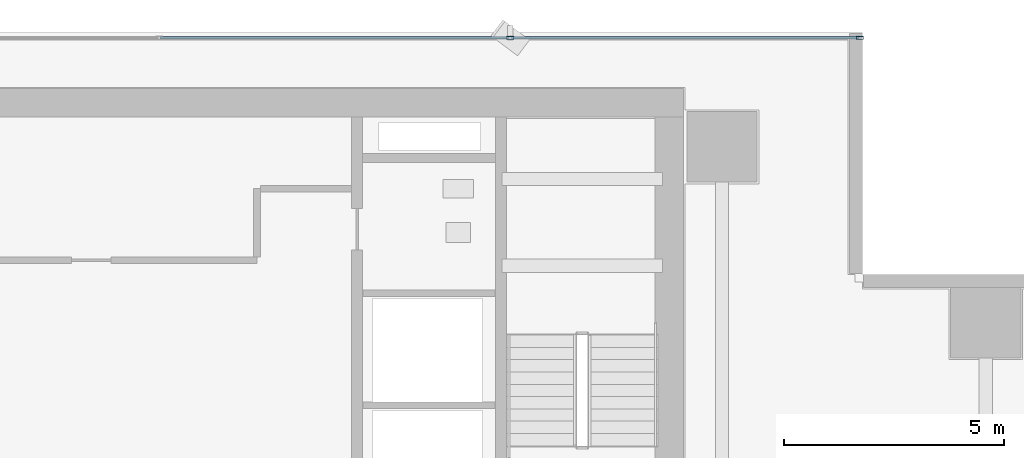
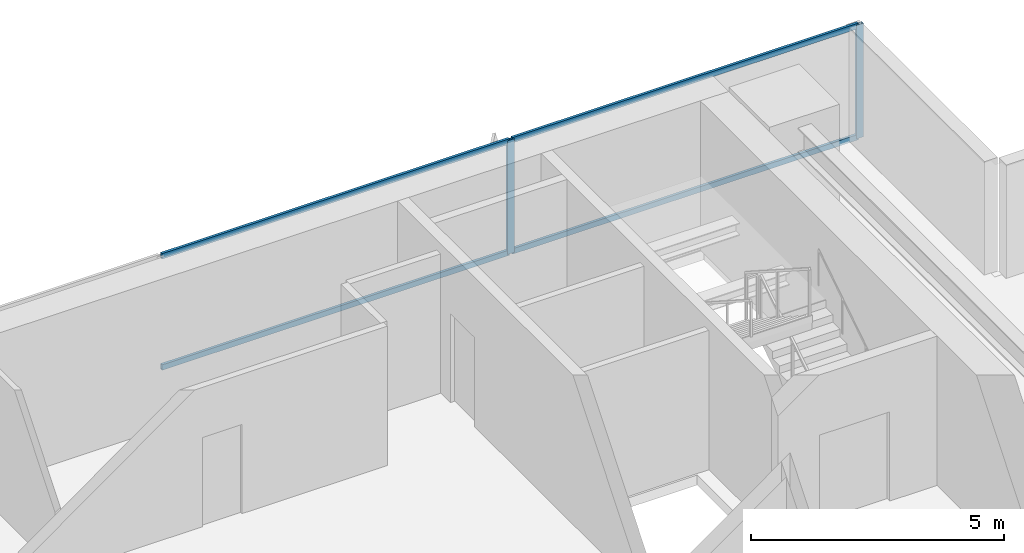
# One storey, part 24 of 34: 6 members, 1 element without a shape of its own.
"""IFC4 building model written with IfcOpenShell, lengths in metres."""

import ifcopenshell
import ifcopenshell.guid

model = None  # the IFC model being written
_history = None  # IfcOwnerHistory: only IFC2X3 demands one
_inside = {}  # id of a spatial element -> (the spatial element, [elements in it])
_under = {}  # id of a project, library or spatial element -> (it, [spatial elements below it])
_declared = {}  # id of a project -> (the project, [libraries it declares])
_typed = {}  # id of a type object -> (the type object, [elements of that type])
_made_of = {}  # id of a material, layer set ... -> (it, [elements and type objects made of it])


def new_model(schema):
    """Start an empty IFC model of exactly this schema.

    Asked for "IFC4X3", IfcOpenShell would pick the latest addendum, in which some entities
    have other attributes; the version numbers below select the first issue.
    IFC2X3 requires an IfcOwnerHistory on every rooted entity: one is made here for all.
    """
    global model, _history
    if schema == "IFC4X3":
        model = ifcopenshell.file(schema_version=(4, 3, 0, 0))
    else:
        model = ifcopenshell.file(schema=schema)
    _inside.clear()
    _under.clear()
    _declared.clear()
    _typed.clear()
    _made_of.clear()
    _history = None
    if model.schema == "IFC2X3":
        org = make("IfcOrganization", Name="unknown")
        user = make(
            "IfcPersonAndOrganization",
            ThePerson=make("IfcPerson", FamilyName="unknown"),
            TheOrganization=org,
        )
        app = make(
            "IfcApplication",
            ApplicationDeveloper=org,
            Version="unknown",
            ApplicationFullName="unknown",
            ApplicationIdentifier="unknown",
        )
        _history = make(
            "IfcOwnerHistory",
            OwningUser=user,
            OwningApplication=app,
            ChangeAction="ADDED",
            CreationDate=0,
        )
    return model


def make(cls, **values):
    """One entity of the class cls with the attributes given. An attribute that is None is left unset."""
    return model.create_entity(
        cls, **{name: value for name, value in values.items() if value is not None}
    )


def rooted(cls, **values):
    """An entity with a GlobalId (a new one), such as an element, a storey or a relation."""
    return make(cls, GlobalId=ifcopenshell.guid.new(), OwnerHistory=_history, **values)


def si_unit(unit_type, name, prefix=None):
    """IfcSIUnit, for example si_unit("LENGTHUNIT", "METRE", prefix="MILLI")."""
    return make("IfcSIUnit", UnitType=unit_type, Prefix=prefix, Name=name)


def assignment(units):
    """IfcUnitAssignment: the units of a project."""
    return None if units is None else make("IfcUnitAssignment", Units=units)


def point(xyz):
    """IfcCartesianPoint."""
    return None if xyz is None else make("IfcCartesianPoint", Coordinates=xyz)


def direction(xyz):
    """IfcDirection."""
    return None if xyz is None else make("IfcDirection", DirectionRatios=xyz)


def frame(location, z_axis=None, x_axis=None):
    """IfcAxis2Placement3D, a coordinate frame: its origin and axes. An axis left out is left unset."""
    return make(
        "IfcAxis2Placement3D",
        Location=point(location),
        Axis=direction(z_axis),
        RefDirection=direction(x_axis),
    )


def frame_2d(location, x_axis=None):
    """IfcAxis2Placement2D, a coordinate frame in the plane: its origin and x axis."""
    return make(
        "IfcAxis2Placement2D", Location=point(location), RefDirection=direction(x_axis)
    )


def origin():
    """The frame at (0, 0, 0) with its axes left unset."""
    return frame((0.0, 0.0, 0.0))


def origin_2d():
    """The frame at (0, 0) in the plane with its x axis left unset."""
    return frame_2d((0.0, 0.0))


def place(relative_to, where):
    """IfcLocalPlacement: puts the frame where relative to a parent placement (None: the world)."""
    return make(
        "IfcLocalPlacement", PlacementRelTo=relative_to, RelativePlacement=where
    )


def context(
    kind, dimensions, precision=None, world=None, true_north=None, identifier=None
):
    """IfcGeometricRepresentationContext, for example the 3D "Model" context."""
    return make(
        "IfcGeometricRepresentationContext",
        ContextIdentifier=identifier,
        ContextType=kind,
        CoordinateSpaceDimension=dimensions,
        Precision=precision,
        WorldCoordinateSystem=world,
        TrueNorth=true_north,
    )


def subcontext(parent, identifier, kind, view, scale=None):
    """IfcGeometricRepresentationSubContext, for example "Body" below "Model"."""
    return make(
        "IfcGeometricRepresentationSubContext",
        ContextIdentifier=identifier,
        ContextType=kind,
        ParentContext=parent,
        TargetScale=scale,
        TargetView=view,
    )


def project(units=None, contexts=None):
    """IfcProject with its units and contexts."""
    return rooted(
        "IfcProject",
        Name="project",
        RepresentationContexts=contexts,
        UnitsInContext=assignment(units),
    )


def spatial(cls, under=None, at=None, **own):
    """A site, building, storey or space (cls), placed at a placement, below another one or the project."""
    s = rooted(cls, ObjectPlacement=at, **own)
    if under is not None:
        _under.setdefault(under.id(), (under, []))[1].append(s)
    return s


def profile(cls, at=None, kind="AREA", **sizes):
    """A parametric profile (cls). Its sizes go by their IFC names, for example OverallWidth=200.0."""
    return make(cls, ProfileType=kind, Position=at, **sizes)


def hollow_rectangle(**sizes):
    """IfcRectangleHollowProfileDef."""
    return profile("IfcRectangleHollowProfileDef", **sizes)


def extrude(swept, where, along, depth):
    """IfcExtrudedAreaSolid: the profile swept, set in the frame where, extruded along a direction by depth."""
    return make(
        "IfcExtrudedAreaSolid",
        SweptArea=swept,
        Position=where,
        ExtrudedDirection=direction(along),
        Depth=depth,
    )


def shape(context_of_items, identifier, shape_type, items):
    """IfcShapeRepresentation: the items that make up one representation, for example the "Body"."""
    return make(
        "IfcShapeRepresentation",
        ContextOfItems=context_of_items,
        RepresentationIdentifier=identifier,
        RepresentationType=shape_type,
        Items=items,
    )


def source(mapping_origin, context_of_items, identifier, shape_type, items):
    """IfcRepresentationMap: a shape defined once, which mapped items show again and again."""
    return make(
        "IfcRepresentationMap",
        MappingOrigin=mapping_origin,
        MappedRepresentation=shape(context_of_items, identifier, shape_type, items),
    )


def transform(
    local_origin,
    x_axis=None,
    y_axis=None,
    z_axis=None,
    scale=None,
    scale2=None,
    scale3=None,
    uniform=True,
):
    """IfcCartesianTransformationOperator3D, or its non-uniform kind. x_axis, y_axis, z_axis: its Axis1, 2, 3."""
    if uniform:
        return make(
            "IfcCartesianTransformationOperator3D",
            Axis1=direction(x_axis),
            Axis2=direction(y_axis),
            LocalOrigin=point(local_origin),
            Scale=scale,
            Axis3=direction(z_axis),
        )
    return make(
        "IfcCartesianTransformationOperator3DnonUniform",
        Axis1=direction(x_axis),
        Axis2=direction(y_axis),
        LocalOrigin=point(local_origin),
        Scale=scale,
        Axis3=direction(z_axis),
        Scale2=scale2,
        Scale3=scale3,
    )


def mapped(mapping_source, mapping_target):
    """IfcMappedItem: shows the shape of a source again, moved by a transform."""
    return make(
        "IfcMappedItem", MappingSource=mapping_source, MappingTarget=mapping_target
    )


def material(Name=None, Category=None):
    """IfcMaterial."""
    return make("IfcMaterial", Name=Name, Category=Category)


def layer(
    of_material, thickness, ventilated=None, Name=None, Category=None, Priority=None
):
    """IfcMaterialLayer: one layer of a wall or slab, of a material (None: an air gap)."""
    return make(
        "IfcMaterialLayer",
        Material=of_material,
        LayerThickness=thickness,
        IsVentilated=ventilated,
        Name=Name,
        Category=Category,
        Priority=Priority,
    )


def layer_set(layers, Name=None):
    """IfcMaterialLayerSet."""
    return make("IfcMaterialLayerSet", MaterialLayers=layers, LayerSetName=Name)


def material_profile(
    of_material, cross_section, Name=None, Category=None, Priority=None
):
    """IfcMaterialProfile: a cross section and its material."""
    return make(
        "IfcMaterialProfile",
        Name=Name,
        Material=of_material,
        Profile=cross_section,
        Priority=Priority,
        Category=Category,
    )


def profile_set(profiles, Name=None, composite=None):
    """IfcMaterialProfileSet."""
    return make(
        "IfcMaterialProfileSet",
        Name=Name,
        MaterialProfiles=profiles,
        CompositeProfile=composite,
    )


def made_of(thing, what):
    """Note that an element or type object is made of a material, layer set ...; save() writes the relation."""
    if what is not None:
        _made_of.setdefault(what.id(), (what, []))[1].append(thing)
    return thing


def type_object(cls, material=None, **own):
    """A type object (cls), such as IfcWallType, which elements share."""
    return made_of(rooted(cls, **own), material)


def element(
    cls,
    number,
    at=None,
    inside=None,
    cuts=None,
    type_object=None,
    material=None,
    context=None,
    identifier="Body",
    shape_type=None,
    held_by="IfcProductDefinitionShape",
    body=None,
    shapes=None,
    **own,
):
    """One element of the class cls, such as IfcWall. Its Tag is "e" and its number.

    at: its placement. inside: the storey or other place that contains it. cuts: it is an
    opening in that element (IfcRelVoidsElement). A single representation is given by context,
    identifier, shape_type and body (its items); several are given by shapes. held_by: the class
    of the entity that holds the representations. save() writes the other relations.
    """
    e = rooted(cls, Tag="e%d" % number, ObjectPlacement=at, **own)
    if body is not None:
        shapes = [shape(context, identifier, shape_type, body)]
    if shapes is not None:
        e.Representation = make(held_by, Representations=shapes)
    if inside is not None:
        _inside.setdefault(inside.id(), (inside, []))[1].append(e)
    if cuts is not None:
        rooted(
            "IfcRelVoidsElement", RelatingBuildingElement=cuts, RelatedOpeningElement=e
        )
    if type_object is not None:
        _typed.setdefault(type_object.id(), (type_object, []))[1].append(e)
    return made_of(e, material)


def aggregate(whole, parts):
    """IfcRelAggregates: a whole, such as a stair, and the parts it consists of."""
    return rooted("IfcRelAggregates", RelatingObject=whole, RelatedObjects=parts)


def save(model, path):
    """Write the relations noted so far, then the file.

    IfcRelAggregates (storeys below a building ...), IfcRelContainedInSpatialStructure (elements
    in a storey), IfcRelDefinesByType, IfcRelAssociatesMaterial and IfcRelDeclares: one each for
    every whole, place, type object, material and project.
    """
    for whole, parts in _under.values():
        aggregate(whole, parts)
    for where, things in _inside.values():
        rooted(
            "IfcRelContainedInSpatialStructure",
            RelatedElements=things,
            RelatingStructure=where,
        )
    for kind, things in _typed.values():
        rooted("IfcRelDefinesByType", RelatedObjects=things, RelatingType=kind)
    for what, things in _made_of.values():
        rooted("IfcRelAssociatesMaterial", RelatedObjects=things, RelatingMaterial=what)
    for by, libraries in _declared.values():
        rooted("IfcRelDeclares", RelatingContext=by, RelatedDefinitions=libraries)
    model.write(path)


model = new_model("IFC4")

# Units and contexts
model_context = context("Model", 3, precision=1e-05, world=origin(), true_north=direction((0.0, 1.0)))
body_context = subcontext(model_context, "Body", "Model", "MODEL_VIEW")
ifc_project = project(units=[si_unit("LENGTHUNIT", "METRE"), si_unit("AREAUNIT", "SQUARE_METRE"), si_unit("VOLUMEUNIT", "CUBIC_METRE"), si_unit("PLANEANGLEUNIT", "RADIAN"), si_unit("MASSUNIT", "GRAM", prefix="KILO")], contexts=[model_context])

# Site, building, storey
site_placement = place(None, origin())
site = spatial("IfcSite", under=ifc_project, at=site_placement, CompositionType="ELEMENT")
building_placement = place(site_placement, origin())
building = spatial("IfcBuilding", under=site, at=building_placement, Name="Sumidabori Civic Tower", CompositionType="ELEMENT")
storey_placement = place(building_placement, frame((0.0, 0.0, 106.39990234375)))
storey = spatial("IfcBuildingStorey", under=building, at=storey_placement, Name="L27", CompositionType="ELEMENT", Elevation=106.39990234375)

# Curtain wall, members
ifc_material = material(Name="Anodised Bronze Aluminium AW-6063-T6", Category="aluminium")
ifc_layer = layer(ifc_material, 0.179931640625, Name="Anodised Bronze Aluminium AW-6063-T6")
ifc_layer_set = layer_set([ifc_layer], Name="Anodised Bronze Aluminium AW-6063-T6")
curtain_wall_type = type_object("IfcCurtainWallType", Name="CW-SYS-3", PredefinedType="NOTDEFINED", material=ifc_layer_set)
curtain_wall_placement = place(storey_placement, origin())
curtain_wall = element("IfcCurtainWall", 1, at=curtain_wall_placement, inside=storey, type_object=curtain_wall_type, Name="Curtain Wall CW:L27:R07", PredefinedType="NOTDEFINED")
ifc_material_profile_1 = material_profile(ifc_material, hollow_rectangle(XDim=0.06494140625, YDim=0.159912109375, WallThickness=0.0048828125, at=origin_2d()), Name="ALU MULLION 160x65")
ifc_profile_set_1 = profile_set([ifc_material_profile_1], Name="Anodised Bronze Aluminium AW-6063-T6")
member_type_1 = type_object("IfcMemberType", Name="CW-MUL-160", PredefinedType="MULLION", material=ifc_profile_set_1)
shared_shape_1 = source(origin(), body_context, "Body", "SweptSolid", [
    extrude(hollow_rectangle(XDim=0.06494140625, YDim=0.159912109375, WallThickness=0.0048828125, at=origin_2d()), origin(), (0.0, 0.0, 1.0), 2.739990234375),
])
member_1_placement = place(storey_placement, frame((19.9375, 25.280029296875, 0.0), z_axis=(0.0, 0.0, 1.0), x_axis=(0.0, -1.0, 0.0)))
member_1 = element("IfcMember", 2, at=member_1_placement, type_object=member_type_1, Name="CW-3 mullion 1", PredefinedType="MULLION", context=body_context, shape_type="MappedRepresentation", body=[
    mapped(shared_shape_1, transform((0.0, 0.0, 0.0), x_axis=(1.0, 0.0, 0.0), y_axis=(0.0, 1.0, 0.0), z_axis=(0.0, 0.0, 1.0), scale=1.0)),
])
member_2_placement = place(storey_placement, frame((11.98193359375, 25.280029296875, 0.0), z_axis=(0.0, 0.0, 1.0), x_axis=(0.0, -1.0, 0.0)))
member_2 = element("IfcMember", 3, at=member_2_placement, type_object=member_type_1, Name="CW-3 mullion 2", PredefinedType="MULLION", context=body_context, shape_type="MappedRepresentation", body=[
    mapped(shared_shape_1, transform((0.0, 0.0, 0.0), x_axis=(1.0, 0.0, 0.0), y_axis=(0.0, 1.0, 0.0), z_axis=(0.0, 0.0, 1.0), scale=1.0)),
])
ifc_material_profile_2 = material_profile(ifc_material, hollow_rectangle(XDim=0.06005859375, YDim=0.1298828125, WallThickness=0.0048828125, at=origin_2d()), Name="ALU TRANSOM 130x60")
ifc_profile_set_2 = profile_set([ifc_material_profile_2], Name="Anodised Bronze Aluminium AW-6063-T6")
member_type_2 = type_object("IfcMemberType", Name="CW-TRN-130", PredefinedType="USERDEFINED", material=ifc_profile_set_2)
shared_shape_2 = source(origin(), body_context, "Body", "SweptSolid", [
    extrude(hollow_rectangle(XDim=0.06005859375, YDim=0.1298828125, WallThickness=0.0048828125, at=origin_2d()), origin(), (0.0, 0.0, 1.0), 7.890625),
])
member_3_placement = place(storey_placement, frame((19.905029296875, 25.280029296875, 0.030029296875), z_axis=(-1.0, 0.0, 0.0), x_axis=(0.0, -1.0, 0.0)))
member_3 = element("IfcMember", 4, at=member_3_placement, type_object=member_type_2, Name="CW-3 transom 1.1", ObjectType="TRANSOM", PredefinedType="USERDEFINED", context=body_context, shape_type="MappedRepresentation", body=[
    mapped(shared_shape_2, transform((0.0, 0.0, 0.0), x_axis=(1.0, 0.0, 0.0), y_axis=(0.0, 1.0, 0.0), z_axis=(0.0, 0.0, 1.0), scale=1.0)),
])
member_4_placement = place(storey_placement, frame((19.905029296875, 25.280029296875, 2.710205078125), z_axis=(-1.0, 0.0, 0.0), x_axis=(0.0, -1.0, 0.0)))
member_4 = element("IfcMember", 5, at=member_4_placement, type_object=member_type_2, Name="CW-3 transom 1.2", ObjectType="TRANSOM", PredefinedType="USERDEFINED", context=body_context, shape_type="MappedRepresentation", body=[
    mapped(shared_shape_2, transform((0.0, 0.0, 0.0), x_axis=(1.0, 0.0, 0.0), y_axis=(0.0, 1.0, 0.0), z_axis=(0.0, 0.0, 1.0), scale=1.0)),
])
shared_shape_3 = source(origin(), body_context, "Body", "SweptSolid", [
    extrude(hollow_rectangle(XDim=0.06005859375, YDim=0.1298828125, WallThickness=0.0048828125, at=origin_2d()), origin(), (0.0, 0.0, 1.0), 7.9228515625),
])
member_5_placement = place(storey_placement, frame((11.949462890625, 25.280029296875, 0.030029296875), z_axis=(-1.0, 0.0, 0.0), x_axis=(0.0, -1.0, 0.0)))
member_5 = element("IfcMember", 6, at=member_5_placement, type_object=member_type_2, Name="CW-3 transom 2.1", ObjectType="TRANSOM", PredefinedType="USERDEFINED", context=body_context, shape_type="MappedRepresentation", body=[
    mapped(shared_shape_3, transform((0.0, 0.0, 0.0), x_axis=(1.0, 0.0, 0.0), y_axis=(0.0, 1.0, 0.0), z_axis=(0.0, 0.0, 1.0), scale=1.0)),
])
member_6_placement = place(storey_placement, frame((11.949462890625, 25.280029296875, 2.710205078125), z_axis=(-1.0, 0.0, 0.0), x_axis=(0.0, -1.0, 0.0)))
member_6 = element("IfcMember", 7, at=member_6_placement, type_object=member_type_2, Name="CW-3 transom 2.2", ObjectType="TRANSOM", PredefinedType="USERDEFINED", context=body_context, shape_type="MappedRepresentation", body=[
    mapped(shared_shape_3, transform((0.0, 0.0, 0.0), x_axis=(1.0, 0.0, 0.0), y_axis=(0.0, 1.0, 0.0), z_axis=(0.0, 0.0, 1.0), scale=1.0)),
])
aggregate(curtain_wall, [member_1, member_2, member_3, member_4, member_5, member_6])

save(model, "model.ifc")
